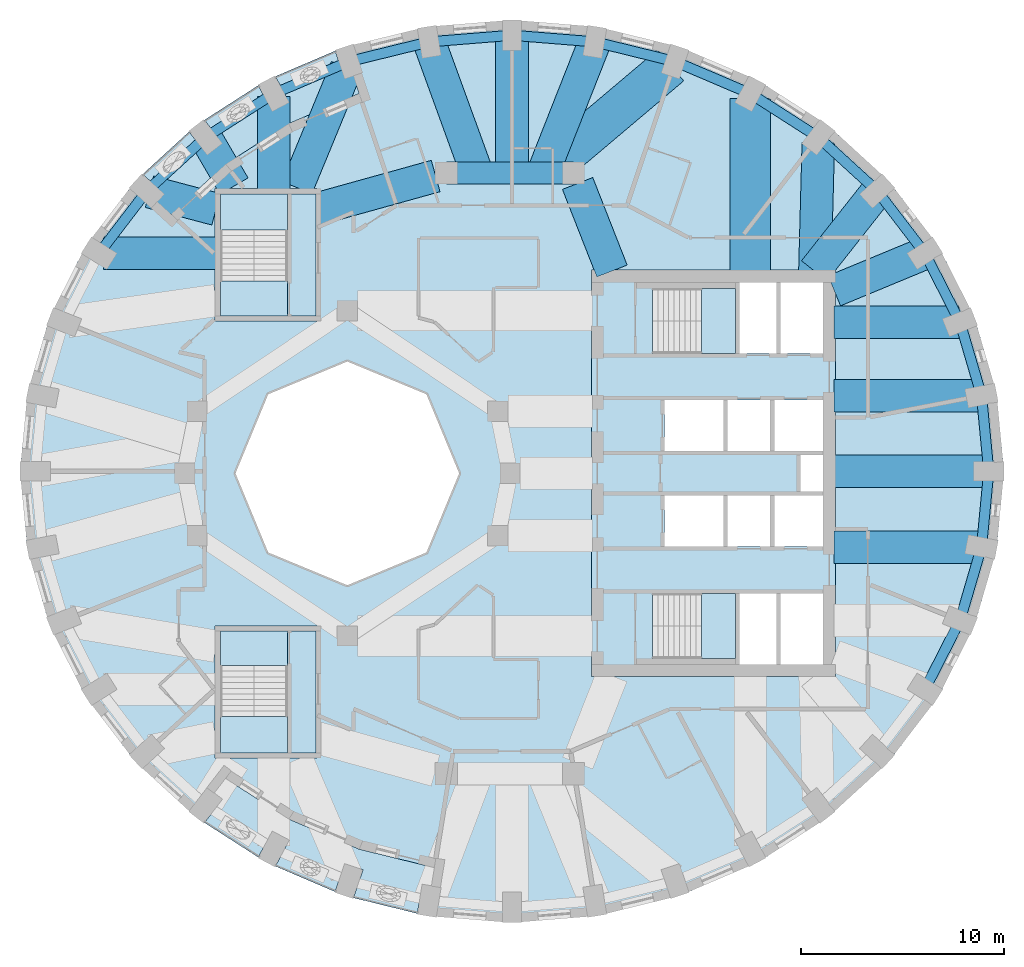
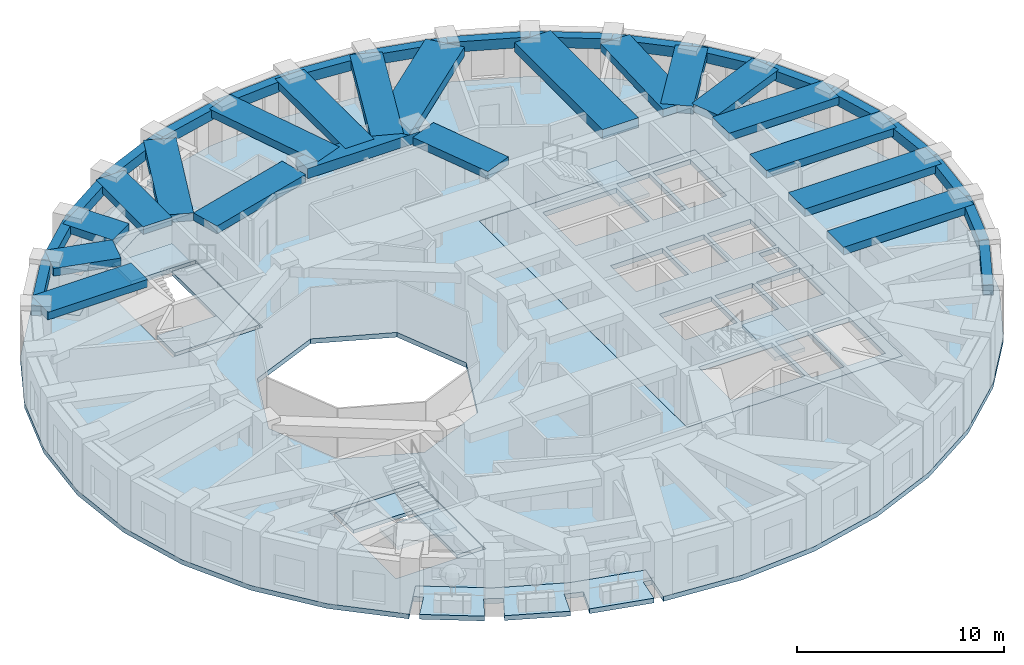
# One storey, part 2 of 12: 38 beams, 12 slabs, 4 elements without a shape of their own.
"""IFC4 building model written with IfcOpenShell, lengths in metres."""

from ifc_helpers import new_model, si_unit, direction, frame, origin, origin_2d, place, context, subcontext, project, spatial, polyline, rectangle, outline, extrude, material, layer, layer_set, material_profile, profile_set, type_object, element, aggregate, save


model = new_model("IFC4")

# Units and contexts
model_context = context("Model", 3, precision=1e-05, world=origin(), true_north=direction((0.0, 1.0)))
body_context = subcontext(model_context, "Body", "Model", "MODEL_VIEW")
ifc_project = project(units=[si_unit("LENGTHUNIT", "METRE"), si_unit("AREAUNIT", "SQUARE_METRE"), si_unit("VOLUMEUNIT", "CUBIC_METRE"), si_unit("PLANEANGLEUNIT", "RADIAN"), si_unit("MASSUNIT", "GRAM", prefix="KILO")], contexts=[model_context])

# Site, building, storey
site_placement = place(None, origin())
site = spatial("IfcSite", under=ifc_project, at=site_placement, CompositionType="ELEMENT")
building_placement = place(site_placement, origin())
building = spatial("IfcBuilding", under=site, at=building_placement, Name="Taillehof Tower", CompositionType="ELEMENT")
storey_placement = place(building_placement, frame((0.0, 0.0, 168.199951171875)))
storey = spatial("IfcBuildingStorey", under=building, at=storey_placement, Name="L47", CompositionType="ELEMENT", Elevation=168.199951171875)

# Beams
ifc_material_1 = material(Name="Concrete C50/60", Category="concrete")
ifc_material_profile_1 = material_profile(ifc_material_1, rectangle(XDim=1.10009765625, YDim=0.60009765625, at=origin_2d()), Name="RC 1100x600")
ifc_profile_set_1 = profile_set([ifc_material_profile_1], Name="Concrete C50/60")
beam_type_1 = type_object("IfcBeamType", Name="Mid-ring beam C50/60 1100x600", PredefinedType="BEAM", material=ifc_profile_set_1)
beam_1_placement = place(storey_placement, frame((3.125732421875, 14.772216796875, 2.719970703125), z_axis=(-1.0, 0.0, 0.0), x_axis=(0.0, -1.0, 0.0)))
element("IfcBeam", 1, at=beam_1_placement, inside=storey, type_object=beam_type_1, Name="Mid-ring beam MB01", PredefinedType="BEAM", context=body_context, shape_type="SweptSolid", body=[
    extrude(rectangle(XDim=1.10009765625, YDim=0.60009765625, at=origin_2d()), origin(), (0.0, 0.0, 1.0), 6.25146484375),
])
ifc_material_2 = material(Name="Concrete C50/60", Category="concrete")
ifc_material_profile_2 = material_profile(ifc_material_2, rectangle(XDim=1.60009765625, YDim=0.449951171875, at=origin_2d()), Name="RC 1600x450")
ifc_profile_set_2 = profile_set([ifc_material_profile_2], Name="Concrete C50/60")
beam_type_2 = type_object("IfcBeamType", Name="Radial band beam C50/60 1600x450", PredefinedType="BEAM", material=ifc_profile_set_2)
beam_2_placement = place(storey_placement, frame((23.550048828125, 0.10009765625, 2.795166015625), z_axis=(-1.0, 0.0, 0.0), x_axis=(0.0, -1.0, 0.0)))
element("IfcBeam", 2, at=beam_2_placement, inside=storey, type_object=beam_type_2, Name="Radial band beam RB01", PredefinedType="BEAM", context=body_context, shape_type="SweptSolid", body=[
    extrude(rectangle(XDim=1.60009765625, YDim=0.449951171875, at=origin_2d()), origin(), (0.0, 0.0, 1.0), 7.60009765625),
])
beam_3_placement = place(storey_placement, frame((23.19384765625, 3.82470703125, 2.795166015625), z_axis=(-1.0, 0.0, 0.0), x_axis=(0.0, -1.0, 0.0)))
element("IfcBeam", 3, at=beam_3_placement, inside=storey, type_object=beam_type_2, Name="Radial band beam RB02", PredefinedType="BEAM", context=body_context, shape_type="SweptSolid", body=[
    extrude(rectangle(XDim=1.60009765625, YDim=0.449951171875, at=origin_2d()), origin(), (0.0, 0.0, 1.0), 7.243896484375),
])
beam_4_placement = place(storey_placement, frame((22.08642578125, 7.436279296875, 2.795166015625), z_axis=(-1.0, 0.0, 0.0), x_axis=(0.0, -1.0, 0.0)))
element("IfcBeam", 4, at=beam_4_placement, inside=storey, type_object=beam_type_2, Name="Radial band beam RB03", PredefinedType="BEAM", context=body_context, shape_type="SweptSolid", body=[
    extrude(rectangle(XDim=1.60009765625, YDim=0.449951171875, at=origin_2d()), origin(), (0.0, 0.0, 1.0), 6.136474609375),
])
beam_5_placement = place(storey_placement, frame((20.408203125, 10.824951171875, 2.795166015625), z_axis=(-0.92395697655, -0.382496412381, 0.0), x_axis=(0.382496412381, -0.92395697655, 0.0)))
element("IfcBeam", 5, at=beam_5_placement, inside=storey, type_object=beam_type_2, Name="Radial band beam RB04", PredefinedType="BEAM", context=body_context, shape_type="SweptSolid", body=[
    extrude(rectangle(XDim=1.60009765625, YDim=0.449951171875, at=origin_2d()), origin(), (0.0, 0.0, 1.0), 4.821044921875),
])
beam_6_placement = place(storey_placement, frame((18.063720703125, 13.8876953125, 2.795166015625), z_axis=(-0.618961692467, -0.785421175713, 0.0), x_axis=(0.785421175713, -0.618961692467, 0.0)))
element("IfcBeam", 6, at=beam_6_placement, inside=storey, type_object=beam_type_2, Name="Radial band beam RB05", PredefinedType="BEAM", context=body_context, shape_type="SweptSolid", body=[
    extrude(rectangle(XDim=1.60009765625, YDim=0.449951171875, at=origin_2d()), origin(), (0.0, 0.0, 1.0), 4.999755859375),
])
beam_7_placement = place(storey_placement, frame((15.166259765625, 16.259765625, 2.795166015625), z_axis=(-0.026533506529, -0.999647924537, 0.0), x_axis=(0.999647924537, -0.026533506529, 0.0)))
element("IfcBeam", 7, at=beam_7_placement, inside=storey, type_object=beam_type_2, Name="Radial band beam RB06", PredefinedType="BEAM", context=body_context, shape_type="SweptSolid", body=[
    extrude(rectangle(XDim=1.60009765625, YDim=0.449951171875, at=origin_2d()), origin(), (0.0, 0.0, 1.0), 6.31201171875),
])
beam_8_placement = place(storey_placement, frame((4.172119140625, 21.22412109375, 2.795166015625), z_axis=(-0.36711444375, -0.930175781877, 0.0), x_axis=(0.930175781877, -0.36711444375, 0.0)))
element("IfcBeam", 8, at=beam_8_placement, inside=storey, type_object=beam_type_2, Name="Radial band beam RB09", PredefinedType="BEAM", context=body_context, shape_type="SweptSolid", body=[
    extrude(rectangle(XDim=1.60009765625, YDim=0.449951171875, at=origin_2d()), origin(), (0.0, 0.0, 1.0), 6.936279296875),
])
beam_9_placement = place(storey_placement, frame((0.10009765625, 21.550048828125, 2.795166015625), z_axis=(0.0, -1.0, 0.0), x_axis=(1.0, 0.0, 0.0)))
element("IfcBeam", 9, at=beam_9_placement, inside=storey, type_object=beam_type_2, Name="Radial band beam RB10", PredefinedType="BEAM", context=body_context, shape_type="SweptSolid", body=[
    extrude(rectangle(XDim=1.60009765625, YDim=0.449951171875, at=origin_2d()), origin(), (0.0, 0.0, 1.0), 6.77783203125),
])
beam_10_placement = place(storey_placement, frame((-3.97216796875, 21.22412109375, 2.795166015625), z_axis=(0.341780181607, -0.939779925015, 0.0), x_axis=(0.939779925015, 0.341780181607, 0.0)))
element("IfcBeam", 10, at=beam_10_placement, inside=storey, type_object=beam_type_2, Name="Radial band beam RB11", PredefinedType="BEAM", context=body_context, shape_type="SweptSolid", body=[
    extrude(rectangle(XDim=1.60009765625, YDim=0.449951171875, at=origin_2d()), origin(), (0.0, 0.0, 1.0), 6.865234375),
])
beam_11_placement = place(storey_placement, frame((-8.04443359375, 19.95556640625, 2.795166015625), z_axis=(-0.381176869418, -0.924502133162, 0.0), x_axis=(0.924502133162, -0.381176869418, 0.0)))
element("IfcBeam", 11, at=beam_11_placement, inside=storey, type_object=beam_type_2, Name="Radial band beam RB12", PredefinedType="BEAM", context=body_context, shape_type="SweptSolid", body=[
    extrude(rectangle(XDim=1.60009765625, YDim=0.449951171875, at=origin_2d()), origin(), (0.0, 0.0, 1.0), 6.382568359375),
])
beam_12_placement = place(storey_placement, frame((-11.625, 18.536376953125, 2.795166015625), z_axis=(0.0, -1.0, 0.0), x_axis=(1.0, 0.0, 0.0)))
element("IfcBeam", 12, at=beam_12_placement, inside=storey, type_object=beam_type_2, Name="Radial band beam RB13", PredefinedType="BEAM", context=body_context, shape_type="SweptSolid", body=[
    extrude(rectangle(XDim=1.60009765625, YDim=0.449951171875, at=origin_2d()), origin(), (0.0, 0.0, 1.0), 4.58642578125),
])
beam_13_placement = place(storey_placement, frame((-14.973388671875, 16.53173828125, 2.795166015625), z_axis=(0.502991419937, -0.864291404255, 0.0), x_axis=(0.864291404255, 0.502991419937, 0.0)))
element("IfcBeam", 13, at=beam_13_placement, inside=storey, type_object=beam_type_2, Name="Radial band beam RB14", PredefinedType="BEAM", context=body_context, shape_type="SweptSolid", body=[
    extrude(rectangle(XDim=1.60009765625, YDim=0.449951171875, at=origin_2d()), origin(), (0.0, 0.0, 1.0), 2.779296875),
])
beam_14_placement = place(storey_placement, frame((-17.72998046875, 13.8525390625, 2.795166015625), z_axis=(0.966882543987, -0.255221758736, 0.0), x_axis=(0.255221758736, 0.966882543987, 0.0)))
element("IfcBeam", 14, at=beam_14_placement, inside=storey, type_object=beam_type_2, Name="Radial band beam RB15", PredefinedType="BEAM", context=body_context, shape_type="SweptSolid", body=[
    extrude(rectangle(XDim=1.60009765625, YDim=0.449951171875, at=origin_2d()), origin(), (0.0, 0.0, 1.0), 3.381591796875),
])
beam_15_placement = place(storey_placement, frame((-19.9990234375, 10.824951171875, 2.795166015625), z_axis=(1.0, 0.0, 0.0), x_axis=(0.0, 1.0, 0.0)))
element("IfcBeam", 15, at=beam_15_placement, inside=storey, type_object=beam_type_2, Name="Radial band beam RB16", PredefinedType="BEAM", context=body_context, shape_type="SweptSolid", body=[
    extrude(rectangle(XDim=1.60009765625, YDim=0.449951171875, at=origin_2d()), origin(), (0.0, 0.0, 1.0), 5.549072265625),
])
beam_16_placement = place(storey_placement, frame((23.19384765625, -3.624755859375, 2.795166015625), z_axis=(-1.0, 0.0, 0.0), x_axis=(0.0, -1.0, 0.0)))
element("IfcBeam", 16, at=beam_16_placement, inside=storey, type_object=beam_type_2, Name="Radial band beam RB36", PredefinedType="BEAM", context=body_context, shape_type="SweptSolid", body=[
    extrude(rectangle(XDim=1.60009765625, YDim=0.449951171875, at=origin_2d()), origin(), (0.0, 0.0, 1.0), 7.243896484375),
])
beam_17_placement = place(storey_placement, frame((3.32666015625, 14.26025390625, 2.795166015625), z_axis=(0.365588707223, -0.930776502255, 0.0), x_axis=(0.930776502255, 0.365588707223, 0.0)))
element("IfcBeam", 17, at=beam_17_placement, inside=storey, type_object=beam_type_2, Name="Inner band beam IB205", PredefinedType="BEAM", context=body_context, shape_type="SweptSolid", body=[
    extrude(rectangle(XDim=1.60009765625, YDim=0.449951171875, at=origin_2d()), origin(), (0.0, 0.0, 1.0), 4.627197265625),
])
beam_18_placement = place(storey_placement, frame((-3.655517578125, 14.624755859375, 2.795166015625), z_axis=(-0.963459369536, -0.267854518821, 0.0), x_axis=(0.267854518821, -0.963459369536, 0.0)))
element("IfcBeam", 18, at=beam_18_placement, inside=storey, type_object=beam_type_2, Name="Inner band beam IB206", PredefinedType="BEAM", context=body_context, shape_type="SweptSolid", body=[
    extrude(rectangle(XDim=1.60009765625, YDim=0.449951171875, at=origin_2d()), origin(), (0.0, 0.0, 1.0), 6.096923828125),
])
ifc_material_3 = material(Name="Concrete C50/60", Category="concrete")
ifc_material_profile_3 = material_profile(ifc_material_3, rectangle(XDim=2.0, YDim=0.550048828125, at=origin_2d()), Name="RC 2000x550")
ifc_profile_set_3 = profile_set([ifc_material_profile_3], Name="Concrete C50/60")
beam_type_3 = type_object("IfcBeamType", Name="Radial band beam C50/60 2000x550", PredefinedType="BEAM", material=ifc_profile_set_3)
beam_19_placement = place(storey_placement, frame((11.824951171875, 18.430908203125, 2.7451171875), z_axis=(0.0, -1.0, 0.0), x_axis=(1.0, 0.0, 0.0)))
element("IfcBeam", 19, at=beam_19_placement, inside=storey, type_object=beam_type_3, Name="Radial band beam RB07", PredefinedType="BEAM", context=body_context, shape_type="SweptSolid", body=[
    extrude(rectangle(XDim=2.0, YDim=0.550048828125, at=origin_2d()), origin(), (0.0, 0.0, 1.0), 8.48095703125),
])
beam_20_placement = place(storey_placement, frame((7.900390625, 20.070556640625, 2.7451171875), z_axis=(-0.764038060196, -0.645171173079, 0.0), x_axis=(0.645171173079, -0.764038060196, 0.0)))
element("IfcBeam", 20, at=beam_20_placement, inside=storey, type_object=beam_type_3, Name="Radial band beam RB08", PredefinedType="BEAM", context=body_context, shape_type="SweptSolid", body=[
    extrude(rectangle(XDim=2.0, YDim=0.550048828125, at=origin_2d()), origin(), (0.0, 0.0, 1.0), 7.880859375),
])
ifc_material_4 = material(Name="Concrete C50/60", Category="concrete")
ifc_material_profile_4 = material_profile(ifc_material_4, rectangle(XDim=0.5, YDim=0.60009765625, at=origin_2d()), Name="RC 500x600")
ifc_profile_set_4 = profile_set([ifc_material_profile_4], Name="Concrete C50/60")
beam_type_4 = type_object("IfcBeamType", Name="Spandrel beam C50/60 500x600", PredefinedType="SPANDREL", material=ifc_profile_set_4)
beam_21_placement = place(storey_placement, frame((23.550048828125, 0.10009765625, 2.719970703125), z_axis=(-0.095200147056, 0.995458151808, 0.0), x_axis=(-0.995458151808, -0.095200147056, 0.0)))
element("IfcBeam", 21, at=beam_21_placement, inside=storey, type_object=beam_type_4, Name="Spandrel beam SB01", PredefinedType="SPANDREL", context=body_context, shape_type="SweptSolid", body=[
    extrude(rectangle(XDim=0.5, YDim=0.60009765625, at=origin_2d()), origin(), (0.0, 0.0, 1.0), 3.74169921875),
])
beam_22_placement = place(storey_placement, frame((23.19384765625, 3.82470703125, 2.719970703125), z_axis=(-0.281158162606, 0.959661444261, 0.0), x_axis=(-0.959661444261, -0.281158162606, 0.0)))
element("IfcBeam", 22, at=beam_22_placement, inside=storey, type_object=beam_type_4, Name="Spandrel beam SB02", PredefinedType="SPANDREL", context=body_context, shape_type="SweptSolid", body=[
    extrude(rectangle(XDim=0.5, YDim=0.60009765625, at=origin_2d()), origin(), (0.0, 0.0, 1.0), 3.763427734375),
])
beam_23_placement = place(storey_placement, frame((22.1357421875, 7.436279296875, 2.719970703125), z_axis=(-0.454183451696, 0.890908183937, 0.0), x_axis=(-0.890908183937, -0.454183451696, 0.0)))
element("IfcBeam", 23, at=beam_23_placement, inside=storey, type_object=beam_type_4, Name="Spandrel beam SB03", PredefinedType="SPANDREL", context=body_context, shape_type="SweptSolid", body=[
    extrude(rectangle(XDim=0.5, YDim=0.60009765625, at=origin_2d()), origin(), (0.0, 0.0, 1.0), 3.8037109375),
])
beam_24_placement = place(storey_placement, frame((20.408203125, 10.824951171875, 2.719970703125), z_axis=(-0.60784004271, 0.794059495553, 0.0), x_axis=(-0.794059495553, -0.60784004271, 0.0)))
element("IfcBeam", 24, at=beam_24_placement, inside=storey, type_object=beam_type_4, Name="Spandrel beam SB04", PredefinedType="SPANDREL", context=body_context, shape_type="SweptSolid", body=[
    extrude(rectangle(XDim=0.5, YDim=0.60009765625, at=origin_2d()), origin(), (0.0, 0.0, 1.0), 3.857177734375),
])
beam_25_placement = place(storey_placement, frame((18.063720703125, 13.8876953125, 2.719970703125), z_axis=(-0.737849657471, 0.674965097594, 0.0), x_axis=(-0.674965097594, -0.737849657471, 0.0)))
element("IfcBeam", 25, at=beam_25_placement, inside=storey, type_object=beam_type_4, Name="Spandrel beam SB05", PredefinedType="SPANDREL", context=body_context, shape_type="SweptSolid", body=[
    extrude(rectangle(XDim=0.5, YDim=0.60009765625, at=origin_2d()), origin(), (0.0, 0.0, 1.0), 3.917236328125),
])
beam_26_placement = place(storey_placement, frame((15.17333984375, 16.53173828125, 2.719970703125), z_axis=(-0.842092940799, 0.53933243835, 0.0), x_axis=(-0.53933243835, -0.842092940799, 0.0)))
element("IfcBeam", 26, at=beam_26_placement, inside=storey, type_object=beam_type_4, Name="Spandrel beam SB06", PredefinedType="SPANDREL", context=body_context, shape_type="SweptSolid", body=[
    extrude(rectangle(XDim=0.5, YDim=0.60009765625, at=origin_2d()), origin(), (0.0, 0.0, 1.0), 3.976318359375),
])
beam_27_placement = place(storey_placement, frame((11.824951171875, 18.67626953125, 2.719970703125), z_axis=(-0.919827173659, 0.392323808351, 0.0), x_axis=(-0.392323808351, -0.919827173659, 0.0)))
element("IfcBeam", 27, at=beam_27_placement, inside=storey, type_object=beam_type_4, Name="Spandrel beam SB07", PredefinedType="SPANDREL", context=body_context, shape_type="SweptSolid", body=[
    extrude(rectangle(XDim=0.5, YDim=0.60009765625, at=origin_2d()), origin(), (0.0, 0.0, 1.0), 4.027587890625),
])
beam_28_placement = place(storey_placement, frame((8.120361328125, 20.25634765625, 2.719970703125), z_axis=(-0.971248584585, 0.238067610023, 0.0), x_axis=(-0.238067610023, -0.971248584585, 0.0)))
element("IfcBeam", 28, at=beam_28_placement, inside=storey, type_object=beam_type_4, Name="Spandrel beam SB08", PredefinedType="SPANDREL", context=body_context, shape_type="SweptSolid", body=[
    extrude(rectangle(XDim=0.5, YDim=0.60009765625, at=origin_2d()), origin(), (0.0, 0.0, 1.0), 4.065185546875),
])
beam_29_placement = place(storey_placement, frame((4.172119140625, 21.22412109375, 2.719970703125), z_axis=(-0.996812047205, 0.079785603634, 0.0), x_axis=(-0.079785603634, -0.996812047205, 0.0)))
element("IfcBeam", 29, at=beam_29_placement, inside=storey, type_object=beam_type_4, Name="Spandrel beam SB09", PredefinedType="SPANDREL", context=body_context, shape_type="SweptSolid", body=[
    extrude(rectangle(XDim=0.5, YDim=0.60009765625, at=origin_2d()), origin(), (0.0, 0.0, 1.0), 4.0849609375),
])
beam_30_placement = place(storey_placement, frame((0.10009765625, 21.550048828125, 2.719970703125), z_axis=(-0.996812427616, -0.079780850771, 0.0), x_axis=(0.079780850771, -0.996812427616, 0.0)))
element("IfcBeam", 30, at=beam_30_placement, inside=storey, type_object=beam_type_4, Name="Spandrel beam SB10", PredefinedType="SPANDREL", context=body_context, shape_type="SweptSolid", body=[
    extrude(rectangle(XDim=0.5, YDim=0.60009765625, at=origin_2d()), origin(), (0.0, 0.0, 1.0), 4.085205078125),
])
beam_31_placement = place(storey_placement, frame((-3.97216796875, 21.22412109375, 2.719970703125), z_axis=(-0.971248584585, -0.238067610023, 0.0), x_axis=(0.238067610023, -0.971248584585, 0.0)))
element("IfcBeam", 31, at=beam_31_placement, inside=storey, type_object=beam_type_4, Name="Spandrel beam SB11", PredefinedType="SPANDREL", context=body_context, shape_type="SweptSolid", body=[
    extrude(rectangle(XDim=0.5, YDim=0.60009765625, at=origin_2d()), origin(), (0.0, 0.0, 1.0), 4.065185546875),
])
beam_32_placement = place(storey_placement, frame((-7.92041015625, 20.25634765625, 2.719970703125), z_axis=(-0.919827173659, -0.392323808351, 0.0), x_axis=(0.392323808351, -0.919827173659, 0.0)))
element("IfcBeam", 32, at=beam_32_placement, inside=storey, type_object=beam_type_4, Name="Spandrel beam SB12", PredefinedType="SPANDREL", context=body_context, shape_type="SweptSolid", body=[
    extrude(rectangle(XDim=0.5, YDim=0.60009765625, at=origin_2d()), origin(), (0.0, 0.0, 1.0), 4.027587890625),
])
beam_33_placement = place(storey_placement, frame((-11.625, 18.67626953125, 2.719970703125), z_axis=(-0.842092940799, -0.53933243835, 0.0), x_axis=(0.53933243835, -0.842092940799, 0.0)))
element("IfcBeam", 33, at=beam_33_placement, inside=storey, type_object=beam_type_4, Name="Spandrel beam SB13", PredefinedType="SPANDREL", context=body_context, shape_type="SweptSolid", body=[
    extrude(rectangle(XDim=0.5, YDim=0.60009765625, at=origin_2d()), origin(), (0.0, 0.0, 1.0), 3.976318359375),
])
beam_34_placement = place(storey_placement, frame((-14.973388671875, 16.53173828125, 2.719970703125), z_axis=(-0.737849657471, -0.674965097594, 0.0), x_axis=(0.674965097594, -0.737849657471, 0.0)))
element("IfcBeam", 34, at=beam_34_placement, inside=storey, type_object=beam_type_4, Name="Spandrel beam SB14", PredefinedType="SPANDREL", context=body_context, shape_type="SweptSolid", body=[
    extrude(rectangle(XDim=0.5, YDim=0.60009765625, at=origin_2d()), origin(), (0.0, 0.0, 1.0), 3.917236328125),
])
beam_35_placement = place(storey_placement, frame((-17.86376953125, 13.8876953125, 2.719970703125), z_axis=(-0.60784004271, -0.794059495553, 0.0), x_axis=(0.794059495553, -0.60784004271, 0.0)))
element("IfcBeam", 35, at=beam_35_placement, inside=storey, type_object=beam_type_4, Name="Spandrel beam SB15", PredefinedType="SPANDREL", context=body_context, shape_type="SweptSolid", body=[
    extrude(rectangle(XDim=0.5, YDim=0.60009765625, at=origin_2d()), origin(), (0.0, 0.0, 1.0), 3.857177734375),
])
beam_36_placement = place(storey_placement, frame((20.408203125, -10.625, 2.719970703125), z_axis=(0.454183451696, 0.890908183937, 0.0), x_axis=(-0.890908183937, 0.454183451696, 0.0)))
element("IfcBeam", 36, at=beam_36_placement, inside=storey, type_object=beam_type_4, Name="Spandrel beam SB34", PredefinedType="SPANDREL", context=body_context, shape_type="SweptSolid", body=[
    extrude(rectangle(XDim=0.5, YDim=0.60009765625, at=origin_2d()), origin(), (0.0, 0.0, 1.0), 3.8037109375),
])
beam_37_placement = place(storey_placement, frame((22.1357421875, -7.236328125, 2.719970703125), z_axis=(0.281158162606, 0.959661444261, 0.0), x_axis=(-0.959661444261, 0.281158162606, 0.0)))
element("IfcBeam", 37, at=beam_37_placement, inside=storey, type_object=beam_type_4, Name="Spandrel beam SB35", PredefinedType="SPANDREL", context=body_context, shape_type="SweptSolid", body=[
    extrude(rectangle(XDim=0.5, YDim=0.60009765625, at=origin_2d()), origin(), (0.0, 0.0, 1.0), 3.763427734375),
])
beam_38_placement = place(storey_placement, frame((23.19384765625, -3.624755859375, 2.719970703125), z_axis=(0.095193963834, 0.995458743118, 0.0), x_axis=(-0.995458743118, 0.095193963834, 0.0)))
element("IfcBeam", 38, at=beam_38_placement, inside=storey, type_object=beam_type_4, Name="Spandrel beam SB36", PredefinedType="SPANDREL", context=body_context, shape_type="SweptSolid", body=[
    extrude(rectangle(XDim=0.5, YDim=0.60009765625, at=origin_2d()), origin(), (0.0, 0.0, 1.0), 3.741943359375),
])

# Slabs
ifc_material_5 = material(Name="Concrete C40/50", Category="concrete")
ifc_layer_1 = layer(ifc_material_5, 0.280029296875)
ifc_layer_set_1 = layer_set([ifc_layer_1], Name="Balcony slab 280")
slab_type_1 = type_object("IfcSlabType", Name="Balcony slab 280", PredefinedType="USERDEFINED", material=ifc_layer_set_1)
slab_1_placement = place(storey_placement, frame((0.0, 0.0, -0.280029296875)))
element("IfcSlab", 39, at=slab_1_placement, inside=storey, type_object=slab_type_1, Name="Balcony L47 pocket 3", ObjectType="BALCONY", PredefinedType="USERDEFINED", context=body_context, shape_type="SweptSolid", body=[
    extrude(outline(polyline([(-16.66748046875, 12.75), (-17.33203125, 13.35791015625), (-16.98974609375, 13.732177734375), (-18.063232421875, 14.7138671875), (-15.783447265625, 16.805419921875), (-14.892333984375, 15.647705078125), (-14.139404296875, 16.22705078125), (-15.027587890625, 17.380859375), (-12.3779296875, 19.0830078125), (-11.69384765625, 17.791259765625), (-10.854248046875, 18.23583984375), (-11.53662109375, 19.52392578125), (-8.596435546875, 20.78173828125), (-8.13330078125, 19.39453125), (-7.701904296875, 19.53857421875), (-7.416748046875, 18.684814453125), (-10.876708984375, 17.204833984375), (-13.991455078125, 15.204345703125), (-16.66748046875, 12.75)])), origin(), (0.0, 0.0, 1.0), 0.280029296875),
])
slab_2_placement = place(storey_placement, frame((0.0, 0.0, -0.280029296875)))
element("IfcSlab", 40, at=slab_2_placement, inside=storey, type_object=slab_type_1, Name="Balcony L47 pocket 7", ObjectType="BALCONY", PredefinedType="USERDEFINED", context=body_context, shape_type="SweptSolid", body=[
    extrude(outline(polyline([(-3.718994140625, -19.3935546875), (-3.86279296875, -20.281982421875), (-4.3212890625, -20.2080078125), (-4.5546875, -21.651611328125), (-7.694580078125, -20.879638671875), (-7.232177734375, -19.495361328125), (-8.13330078125, -19.194580078125), (-8.596435546875, -20.581787109375), (-11.53662109375, -19.323974609375), (-10.854248046875, -18.035888671875), (-11.69384765625, -17.591064453125), (-12.3779296875, -18.883056640625), (-15.027587890625, -17.180908203125), (-14.139404296875, -16.027099609375), (-14.541015625, -15.718017578125), (-13.991455078125, -15.00439453125), (-10.876708984375, -17.0048828125), (-7.416748046875, -18.484619140625), (-3.718994140625, -19.3935546875)])), origin(), (0.0, 0.0, 1.0), 0.280029296875),
])
ifc_material_6 = material(Name="Concrete C40/50", Category="concrete")
ifc_layer_2 = layer(ifc_material_6, 0.280029296875)
ifc_layer_set_2 = layer_set([ifc_layer_2], Name="Core floor slab C40/50 280")
slab_type_2 = type_object("IfcSlabType", Name="Core floor slab C40/50 280", PredefinedType="FLOOR", material=ifc_layer_set_2)
slab_3_placement = place(storey_placement, frame((0.0, 0.0, -0.280029296875)))
element("IfcSlab", 41, at=slab_3_placement, inside=storey, type_object=slab_type_2, Name="Core floor L47", PredefinedType="FLOOR", context=body_context, shape_type="SweptSolid", body=[
    extrude(outline(polyline([(4.0, -10.0), (4.0, 10.0), (16.0, 10.0), (16.0, -10.0), (4.0, -10.0)]), holes=[polyline([(11.10009765625, -9.10009765625), (11.10009765625, -5.89990234375), (7.00048828125, -5.89990234375), (7.00048828125, -9.10009765625), (11.10009765625, -9.10009765625)]), polyline([(10.5, -3.60009765625), (10.5, -1.10009765625), (7.60009765625, -1.10009765625), (7.60009765625, -3.60009765625), (10.5, -3.60009765625)]), polyline([(12.800048828125, -3.60009765625), (12.800048828125, -1.10009765625), (10.699951171875, -1.10009765625), (10.699951171875, -3.60009765625), (12.800048828125, -3.60009765625)]), polyline([(10.5, 3.60009765625), (7.60009765625, 3.60009765625), (7.60009765625, 1.10009765625), (10.5, 1.10009765625), (10.5, 3.60009765625)]), polyline([(12.800048828125, 1.10009765625), (12.800048828125, 3.60009765625), (10.699951171875, 3.60009765625), (10.699951171875, 1.10009765625), (12.800048828125, 1.10009765625)]), polyline([(11.10009765625, 5.89990234375), (11.10009765625, 9.10009765625), (7.00048828125, 9.10009765625), (7.00048828125, 5.89990234375), (11.10009765625, 5.89990234375)]), polyline([(13.10009765625, 9.39990234375), (11.300048828125, 9.39990234375), (11.300048828125, 5.89990234375), (13.10009765625, 5.89990234375), (13.10009765625, 9.39990234375)]), polyline([(13.10009765625, -9.39990234375), (13.10009765625, -5.89990234375), (11.300048828125, -5.89990234375), (11.300048828125, -9.39990234375), (13.10009765625, -9.39990234375)]), polyline([(15.39990234375, -9.39990234375), (15.39990234375, -5.89990234375), (13.300048828125, -5.89990234375), (13.300048828125, -9.39990234375), (15.39990234375, -9.39990234375)]), polyline([(15.39990234375, -3.60009765625), (15.39990234375, -1.10009765625), (13.0, -1.10009765625), (13.0, -3.60009765625), (15.39990234375, -3.60009765625)]), polyline([(15.39990234375, -0.89990234375), (15.39990234375, 0.89990234375), (14.300048828125, 0.89990234375), (14.300048828125, -0.89990234375), (15.39990234375, -0.89990234375)]), polyline([(15.39990234375, 1.10009765625), (15.39990234375, 3.60009765625), (13.0, 3.60009765625), (13.0, 1.10009765625), (15.39990234375, 1.10009765625)]), polyline([(15.39990234375, 5.89990234375), (15.39990234375, 9.39990234375), (13.300048828125, 9.39990234375), (13.300048828125, 5.89990234375), (15.39990234375, 5.89990234375)])]), origin(), (0.0, 0.0, 1.0), 0.280029296875),
])
ifc_material_7 = material(Name="Concrete C40/50", Category="concrete")
ifc_layer_3 = layer(ifc_material_7, 0.280029296875)
ifc_layer_set_3 = layer_set([ifc_layer_3], Name="Floor slab 280")
slab_type_3 = type_object("IfcSlabType", Name="Floor slab 280", PredefinedType="FLOOR", material=ifc_layer_set_3)
slab_4_placement = place(storey_placement, frame((0.0, 0.0, -0.280029296875)))
element("IfcSlab", 42, at=slab_4_placement, inside=storey, type_object=slab_type_3, Name="Floor slab L47", PredefinedType="FLOOR", context=body_context, shape_type="SweptSolid", body=[
    extrude(outline(polyline([(24.300048828125, 0.10009765625), (23.932373046875, 3.955078125), (22.840576171875, 7.69287109375), (21.057861328125, 11.199951171875), (18.63818359375, 14.369873046875), (15.655517578125, 17.106201171875), (12.199951171875, 19.32568359375), (8.376953125, 20.961181640625), (4.30224609375, 21.962646484375), (0.10009765625, 22.300048828125), (-4.102294921875, 21.962646484375), (-8.177001953125, 20.961181640625), (-7.416748046875, 18.684814453125), (-10.876708984375, 17.204833984375), (-13.991455078125, 15.204345703125), (-16.66748046875, 12.75), (-18.438232421875, 14.369873046875), (-20.85791015625, 11.199951171875), (-22.640625, 7.69287109375), (-23.732421875, 3.955078125), (-24.10009765625, 0.10009765625), (-23.732421875, -3.7548828125), (-22.640625, -7.492919921875), (-20.85791015625, -11.0), (-18.438232421875, -14.169921875), (-15.45556640625, -16.90625), (-13.991455078125, -15.00439453125), (-10.876708984375, -17.0048828125), (-7.416748046875, -18.484619140625), (-3.718994140625, -19.3935546875), (-4.102294921875, -21.7626953125), (0.10009765625, -22.10009765625), (4.30224609375, -21.7626953125), (8.376953125, -20.76123046875), (12.199951171875, -19.125732421875), (15.655517578125, -16.90625), (18.63818359375, -14.169921875), (21.057861328125, -11.0), (22.840576171875, -7.492919921875), (23.932373046875, -3.7548828125), (24.300048828125, 0.10009765625)]), holes=[polyline([(-14.5, -7.5), (-9.5, -7.5), (-9.5, -14.0), (-14.5, -14.0), (-14.5, -7.5)]), polyline([(-8.0, -5.5), (-11.88916015625, -3.88916015625), (-13.5, 0.0), (-11.88916015625, 3.88916015625), (-8.0, 5.5), (-4.11083984375, 3.88916015625), (-2.5, 0.0), (-4.11083984375, -3.88916015625), (-8.0, -5.5)]), polyline([(16.0, 10.0), (16.0, -10.0), (4.0, -10.0), (4.0, 10.0), (16.0, 10.0)]), polyline([(-14.5, 14.0), (-9.5, 14.0), (-9.5, 7.5), (-14.5, 7.5), (-14.5, 14.0)])]), origin(), (0.0, 0.0, 1.0), 0.280029296875),
])

# Stair, slab
ifc_material_8 = material(Name="Concrete C40/50", Category="concrete")
stair_type = type_object("IfcStairType", Name="Exit stair half-turn", PredefinedType="HALF_TURN_STAIR", material=ifc_material_8)
stair_1_placement = place(storey_placement, origin())
stair_1 = element("IfcStair", 43, at=stair_1_placement, inside=storey, type_object=stair_type, Name="Exit stair S1", PredefinedType="HALF_TURN_STAIR")
ifc_material_9 = material(Name="Concrete C40/50", Category="concrete")
ifc_layer_4 = layer(ifc_material_9, 0.2099609375)
ifc_layer_set_4 = layer_set([ifc_layer_4], Name="Stair landing C40/50 210")
slab_type_4 = type_object("IfcSlabType", Name="Stair landing C40/50 210", PredefinedType="LANDING", material=ifc_layer_set_4)
slab_5_placement = place(storey_placement, frame((0.0, 0.0, 1.43994140625)))
slab_5 = element("IfcSlab", 44, at=slab_5_placement, type_object=slab_type_4, Name="S1 landing 1", PredefinedType="LANDING", context=body_context, shape_type="SweptSolid", body=[
    extrude(outline(polyline([(9.429931640625, 5.89990234375), (11.10009765625, 5.89990234375), (11.10009765625, 9.10009765625), (9.429931640625, 9.10009765625), (9.429931640625, 5.89990234375)])), origin(), (0.0, 0.0, 1.0), 0.210205078125),
])
aggregate(stair_1, [slab_5])

stair_2_placement = place(storey_placement, origin())
stair_2 = element("IfcStair", 45, at=stair_2_placement, inside=storey, type_object=stair_type, Name="Exit stair S2", PredefinedType="HALF_TURN_STAIR")
slab_6_placement = place(storey_placement, frame((0.0, 0.0, 1.43994140625)))
slab_6 = element("IfcSlab", 46, at=slab_6_placement, type_object=slab_type_4, Name="S2 landing 1", PredefinedType="LANDING", context=body_context, shape_type="SweptSolid", body=[
    extrude(outline(polyline([(9.429931640625, -5.89990234375), (11.10009765625, -5.89990234375), (11.10009765625, -9.10009765625), (9.429931640625, -9.10009765625), (9.429931640625, -5.89990234375)])), origin(), (0.0, 0.0, 1.0), 0.210205078125),
])
aggregate(stair_2, [slab_6])

stair_3_placement = place(storey_placement, origin())
stair_3 = element("IfcStair", 47, at=stair_3_placement, inside=storey, type_object=stair_type, Name="Exit stair S3", PredefinedType="HALF_TURN_STAIR")
slab_7_placement = place(storey_placement, frame((0.0, 0.0, 1.43994140625)))
slab_7 = element("IfcSlab", 48, at=slab_7_placement, type_object=slab_type_4, Name="S3 landing 1", PredefinedType="LANDING", context=body_context, shape_type="SweptSolid", body=[
    extrude(outline(polyline([(-14.25, 11.969970703125), (-14.25, 13.75), (-10.949951171875, 13.75), (-10.949951171875, 11.969970703125), (-14.25, 11.969970703125)])), origin(), (0.0, 0.0, 1.0), 0.210205078125),
])
aggregate(stair_3, [slab_7])

stair_4_placement = place(storey_placement, origin())
stair_4 = element("IfcStair", 49, at=stair_4_placement, inside=storey, type_object=stair_type, Name="Exit stair S4", PredefinedType="HALF_TURN_STAIR")
slab_8_placement = place(storey_placement, frame((0.0, 0.0, 1.43994140625)))
slab_8 = element("IfcSlab", 50, at=slab_8_placement, type_object=slab_type_4, Name="S4 landing 1", PredefinedType="LANDING", context=body_context, shape_type="SweptSolid", body=[
    extrude(outline(polyline([(-14.25, -11.969970703125), (-14.25, -13.75), (-10.949951171875, -13.75), (-10.949951171875, -11.969970703125), (-14.25, -11.969970703125)])), origin(), (0.0, 0.0, 1.0), 0.210205078125),
])
aggregate(stair_4, [slab_8])

# Slabs
slab_9_placement = place(storey_placement, frame((0.0, 0.0, -0.2099609375)))
element("IfcSlab", 51, at=slab_9_placement, inside=storey, type_object=slab_type_4, Name="Stair S3 floor landing", PredefinedType="LANDING", context=body_context, shape_type="SweptSolid", body=[
    extrude(outline(polyline([(-14.25, 7.75), (-14.25, 9.449951171875), (-10.949951171875, 9.449951171875), (-10.949951171875, 7.75), (-14.25, 7.75)])), origin(), (0.0, 0.0, 1.0), 0.2099609375),
])
slab_10_placement = place(storey_placement, frame((0.0, 0.0, -0.2099609375)))
element("IfcSlab", 52, at=slab_10_placement, inside=storey, type_object=slab_type_4, Name="Stair lobby S3 floor", PredefinedType="LANDING", context=body_context, shape_type="SweptSolid", body=[
    extrude(outline(polyline([(-10.949951171875, 7.75), (-9.550048828125, 7.75), (-9.550048828125, 13.75), (-10.949951171875, 13.75), (-10.949951171875, 7.75)])), origin(), (0.0, 0.0, 1.0), 0.2099609375),
])
slab_11_placement = place(storey_placement, frame((0.0, 0.0, -0.2099609375)))
element("IfcSlab", 53, at=slab_11_placement, inside=storey, type_object=slab_type_4, Name="Stair S4 floor landing", PredefinedType="LANDING", context=body_context, shape_type="SweptSolid", body=[
    extrude(outline(polyline([(-14.25, -7.75), (-14.25, -9.449951171875), (-10.949951171875, -9.449951171875), (-10.949951171875, -7.75), (-14.25, -7.75)])), origin(), (0.0, 0.0, 1.0), 0.2099609375),
])
slab_12_placement = place(storey_placement, frame((0.0, 0.0, -0.2099609375)))
element("IfcSlab", 54, at=slab_12_placement, inside=storey, type_object=slab_type_4, Name="Stair lobby S4 floor", PredefinedType="LANDING", context=body_context, shape_type="SweptSolid", body=[
    extrude(outline(polyline([(-10.949951171875, -13.75), (-9.550048828125, -13.75), (-9.550048828125, -7.75), (-10.949951171875, -7.75), (-10.949951171875, -13.75)])), origin(), (0.0, 0.0, 1.0), 0.2099609375),
])

save(model, "model.ifc")
